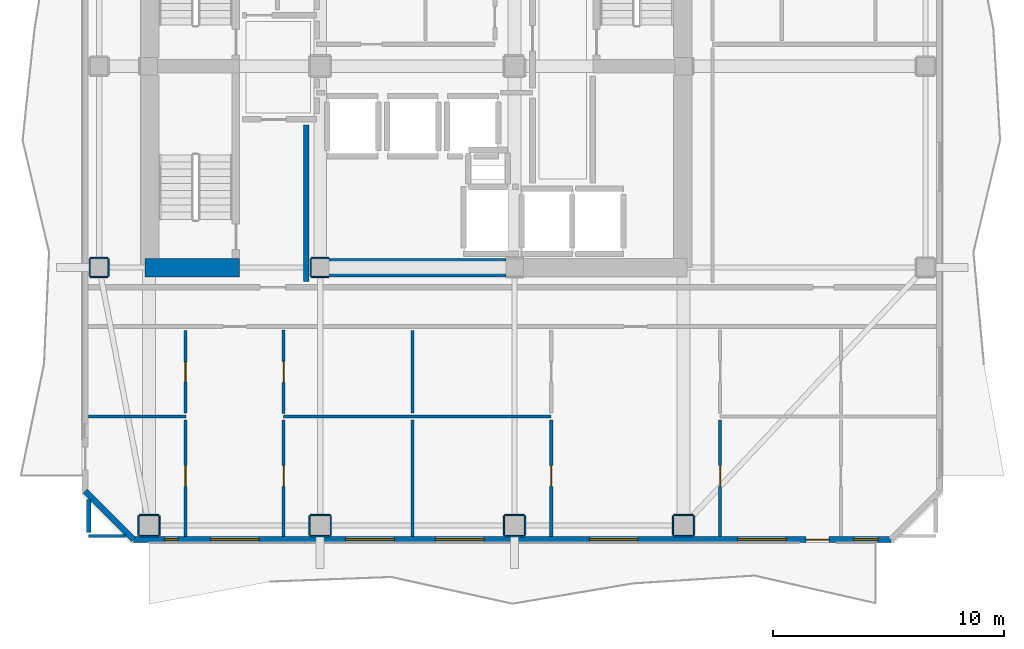
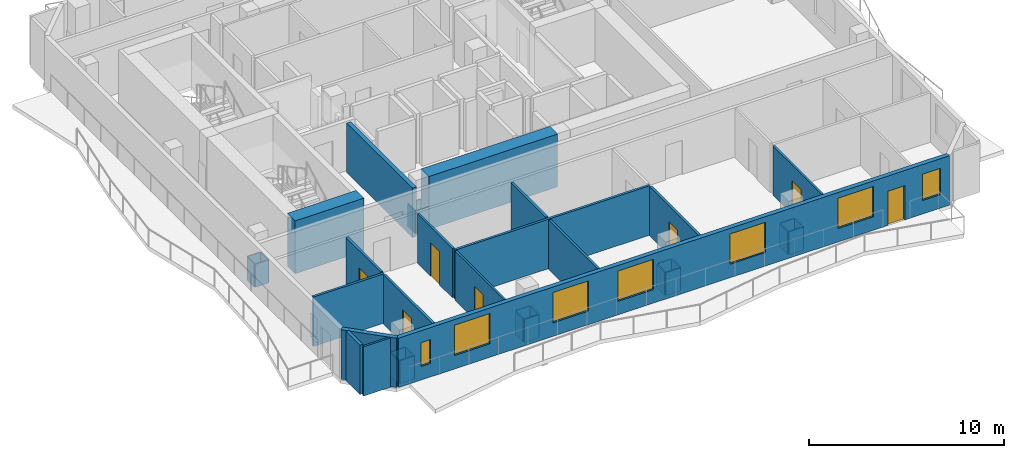
# One storey, part 2 of 9: 40 walls, 7 doors, 7 windows, 14 openings.
"""IFC4 building model written with IfcOpenShell, lengths in metres."""

from ifc_helpers import new_model, si_unit, direction, frame, frame_2d, origin, place, context, subcontext, project, spatial, rectangle, extrude, material, layer, layer_set, type_object, element, fill, save


model = new_model("IFC4")

# Units and contexts
model_context = context("Model", 3, precision=1e-05, world=origin(), true_north=direction((0.0, 1.0)))
body_context = subcontext(model_context, "Body", "Model", "MODEL_VIEW")
ifc_project = project(units=[si_unit("LENGTHUNIT", "METRE"), si_unit("AREAUNIT", "SQUARE_METRE"), si_unit("VOLUMEUNIT", "CUBIC_METRE"), si_unit("PLANEANGLEUNIT", "RADIAN"), si_unit("MASSUNIT", "GRAM", prefix="KILO")], contexts=[model_context])

# Site, building, storey
site_placement = place(None, origin())
site = spatial("IfcSite", under=ifc_project, at=site_placement, CompositionType="ELEMENT")
building_placement = place(site_placement, origin())
building = spatial("IfcBuilding", under=site, at=building_placement, Name="Solanera Arch Residences", CompositionType="ELEMENT")
storey_placement = place(building_placement, frame((0.0, 0.0, 213.39990234375)))
storey = spatial("IfcBuildingStorey", under=building, at=storey_placement, Name="L62", CompositionType="ELEMENT", Elevation=213.39990234375)

# Walls
ifc_material_1 = material(Name="Fire-Rated Gypsum Stud Partition", Category="gypsum")
ifc_layer_1 = layer(ifc_material_1, 0.06005859375)
ifc_layer_set_1 = layer_set([ifc_layer_1], Name="Fire-Rated Gypsum Stud Partition")
wall_type_1 = type_object("IfcWallType", Name="Column Acoustic Furring Wall 60", PredefinedType="PARTITIONING", material=ifc_layer_set_1)
for number, where, z_axis, x_axis, name in (
    (1, (20.425048828125, 21.593017578125, 0.0), (0.0, 0.0, 1.0), (1.0, 0.0, 0.0), "L62 Column Furring 1S"),
    (2, (20.425048828125, 22.406982421875, 0.0), (0.0, 0.0, 1.0), (1.0, 0.0, 0.0), "L62 Column Furring 1N"),
):
    element("IfcWall", number, at=place(storey_placement, frame(where, z_axis=z_axis, x_axis=x_axis)), inside=storey, type_object=wall_type_1, Name=name, PredefinedType="PARTITIONING", context=body_context, shape_type="SweptSolid", body=[
        extrude(rectangle(XDim=0.741943359375, YDim=0.06005859375, at=frame_2d((0.37109375, 0.0))), origin(), (0.0, 0.0, 1.0), 1.4501953125),
    ])
wall_1_placement = place(storey_placement, frame((20.39306640625, 21.625, 0.0), z_axis=(0.0, 0.0, 1.0), x_axis=(0.0, 1.0, 0.0)))
element("IfcWall", 3, at=wall_1_placement, inside=storey, type_object=wall_type_1, Name="L62 Column Furring 1W", PredefinedType="PARTITIONING", context=body_context, shape_type="SweptSolid", body=[
    extrude(rectangle(XDim=0.75, YDim=0.06005859375, at=frame_2d((0.375, 0.0))), origin(), (0.0, 0.0, 1.0), 1.4501953125),
])
for number, where, z_axis, x_axis, name in (
    (4, (12.97509765625, 10.39306640625, 0.0), (0.0, 0.0, 1.0), (1.0, 0.0, 0.0), "L62 Column Furring 9S"),
    (5, (12.97509765625, 11.306884765625, 0.0), (0.0, 0.0, 1.0), (1.0, 0.0, 0.0), "L62 Column Furring 9N"),
    (6, (12.943115234375, 10.425048828125, 0.0), (0.0, 0.0, 1.0), (0.0, 1.0, 0.0), "L62 Column Furring 9W"),
    (7, (13.85693359375, 10.425048828125, 0.0), (0.0, 0.0, 1.0), (0.0, 1.0, 0.0), "L62 Column Furring 9E"),
):
    element("IfcWall", number, at=place(storey_placement, frame(where, z_axis=z_axis, x_axis=x_axis)), inside=storey, type_object=wall_type_1, Name=name, PredefinedType="PARTITIONING", context=body_context, shape_type="SweptSolid", body=[
        extrude(rectangle(XDim=0.849853515625, YDim=0.06005859375, at=frame_2d((0.4248046875, 0.0))), origin(), (0.0, 0.0, 1.0), 1.4501953125),
    ])
for number, where, z_axis, x_axis, name in (
    (8, (20.375, 10.39306640625, 0.0), (0.0, 0.0, 1.0), (1.0, 0.0, 0.0), "L62 Column Furring 11S"),
    (9, (20.375, 11.306884765625, 0.0), (0.0, 0.0, 1.0), (1.0, 0.0, 0.0), "L62 Column Furring 11N"),
):
    element("IfcWall", number, at=place(storey_placement, frame(where, z_axis=z_axis, x_axis=x_axis)), inside=storey, type_object=wall_type_1, Name=name, PredefinedType="PARTITIONING", context=body_context, shape_type="SweptSolid", body=[
        extrude(rectangle(XDim=0.85009765625, YDim=0.06005859375, at=frame_2d((0.425048828125, 0.0))), origin(), (0.0, 0.0, 1.0), 1.4501953125),
    ])
for number, where, z_axis, x_axis, name in (
    (10, (20.343017578125, 10.425048828125, 0.0), (0.0, 0.0, 1.0), (0.0, 1.0, 0.0), "L62 Column Furring 11W"),
    (11, (21.257080078125, 10.425048828125, 0.0), (0.0, 0.0, 1.0), (0.0, 1.0, 0.0), "L62 Column Furring 11E"),
):
    element("IfcWall", number, at=place(storey_placement, frame(where, z_axis=z_axis, x_axis=x_axis)), inside=storey, type_object=wall_type_1, Name=name, PredefinedType="PARTITIONING", context=body_context, shape_type="SweptSolid", body=[
        extrude(rectangle(XDim=0.849853515625, YDim=0.06005859375, at=frame_2d((0.4248046875, 0.0))), origin(), (0.0, 0.0, 1.0), 1.4501953125),
    ])
for number, where, z_axis, x_axis, name in (
    (12, (28.77490234375, 10.39306640625, 0.0), (0.0, 0.0, 1.0), (1.0, 0.0, 0.0), "L62 Column Furring 13S"),
    (13, (28.77490234375, 11.306884765625, 0.0), (0.0, 0.0, 1.0), (1.0, 0.0, 0.0), "L62 Column Furring 13N"),
):
    element("IfcWall", number, at=place(storey_placement, frame(where, z_axis=z_axis, x_axis=x_axis)), inside=storey, type_object=wall_type_1, Name=name, PredefinedType="PARTITIONING", context=body_context, shape_type="SweptSolid", body=[
        extrude(rectangle(XDim=0.85009765625, YDim=0.06005859375, at=frame_2d((0.425048828125, 0.0))), origin(), (0.0, 0.0, 1.0), 1.4501953125),
    ])
for number, where, z_axis, x_axis, name in (
    (14, (28.742919921875, 10.425048828125, 0.0), (0.0, 0.0, 1.0), (0.0, 1.0, 0.0), "L62 Column Furring 13W"),
    (15, (29.656982421875, 10.425048828125, 0.0), (0.0, 0.0, 1.0), (0.0, 1.0, 0.0), "L62 Column Furring 13E"),
):
    element("IfcWall", number, at=place(storey_placement, frame(where, z_axis=z_axis, x_axis=x_axis)), inside=storey, type_object=wall_type_1, Name=name, PredefinedType="PARTITIONING", context=body_context, shape_type="SweptSolid", body=[
        extrude(rectangle(XDim=0.849853515625, YDim=0.06005859375, at=frame_2d((0.4248046875, 0.0))), origin(), (0.0, 0.0, 1.0), 1.4501953125),
    ])
for number, where, z_axis, x_axis, name in (
    (16, (36.074951171875, 10.39306640625, 0.0), (0.0, 0.0, 1.0), (1.0, 0.0, 0.0), "L62 Column Furring 15S"),
    (17, (36.074951171875, 11.306884765625, 0.0), (0.0, 0.0, 1.0), (1.0, 0.0, 0.0), "L62 Column Furring 15N"),
):
    element("IfcWall", number, at=place(storey_placement, frame(where, z_axis=z_axis, x_axis=x_axis)), inside=storey, type_object=wall_type_1, Name=name, PredefinedType="PARTITIONING", context=body_context, shape_type="SweptSolid", body=[
        extrude(rectangle(XDim=0.85009765625, YDim=0.06005859375, at=frame_2d((0.425048828125, 0.0))), origin(), (0.0, 0.0, 1.0), 1.4501953125),
    ])
for number, where, z_axis, x_axis, name in (
    (18, (36.04296875, 10.425048828125, 0.0), (0.0, 0.0, 1.0), (0.0, 1.0, 0.0), "L62 Column Furring 15W"),
    (19, (36.95703125, 10.425048828125, 0.0), (0.0, 0.0, 1.0), (0.0, 1.0, 0.0), "L62 Column Furring 15E"),
):
    element("IfcWall", number, at=place(storey_placement, frame(where, z_axis=z_axis, x_axis=x_axis)), inside=storey, type_object=wall_type_1, Name=name, PredefinedType="PARTITIONING", context=body_context, shape_type="SweptSolid", body=[
        extrude(rectangle(XDim=0.849853515625, YDim=0.06005859375, at=frame_2d((0.4248046875, 0.0))), origin(), (0.0, 0.0, 1.0), 1.4501953125),
    ])
for number, where, z_axis, x_axis, name in (
    (20, (10.875, 21.593017578125, 0.0), (0.0, 0.0, 1.0), (1.0, 0.0, 0.0), "L62 Column Furring 17S"),
    (21, (10.875, 22.406982421875, 0.0), (0.0, 0.0, 1.0), (1.0, 0.0, 0.0), "L62 Column Furring 17N"),
    (22, (10.843017578125, 21.625, 0.0), (0.0, 0.0, 1.0), (0.0, 1.0, 0.0), "L62 Column Furring 17W"),
    (23, (11.656982421875, 21.625, 0.0), (0.0, 0.0, 1.0), (0.0, 1.0, 0.0), "L62 Column Furring 17E"),
):
    element("IfcWall", number, at=place(storey_placement, frame(where, z_axis=z_axis, x_axis=x_axis)), inside=storey, type_object=wall_type_1, Name=name, PredefinedType="PARTITIONING", context=body_context, shape_type="SweptSolid", body=[
        extrude(rectangle(XDim=0.75, YDim=0.06005859375, at=frame_2d((0.375, 0.0))), origin(), (0.0, 0.0, 1.0), 1.4501953125),
    ])
ifc_material_2 = material(Name="Concrete C40/50 (f'c = 45 MPa)", Category="concrete")
ifc_layer_2 = layer(ifc_material_2, 0.800048828125)
ifc_layer_set_2 = layer_set([ifc_layer_2], Name="Concrete C40/50 (f'c = 45 MPa)")
wall_type_2 = type_object("IfcWallType", Name="Core Shear Wall CW-800", PredefinedType="SHEAR", material=ifc_layer_set_2)
wall_2_placement = place(storey_placement, frame((13.239990234375, 22.0, 0.0), z_axis=(0.0, 0.0, 1.0), x_axis=(1.0, 0.0, 0.0)))
element("IfcWall", 24, at=wall_2_placement, inside=storey, type_object=wall_type_2, Name="L62 South-West Core Shear Wall", PredefinedType="SHEAR", context=body_context, shape_type="SweptSolid", body=[
    extrude(rectangle(XDim=4.080078125, YDim=0.800048828125, at=frame_2d((2.0400390625, 0.0))), origin(), (0.0, 0.0, 1.0), 3.320068359375),
])
wall_3_placement = place(storey_placement, frame((21.179931640625, 22.0, 0.0), z_axis=(0.0, 0.0, 1.0), x_axis=(1.0, 0.0, 0.0)))
element("IfcWall", 25, at=wall_3_placement, inside=storey, type_object=wall_type_2, Name="L62 Central South Core Shear Wall", PredefinedType="SHEAR", context=body_context, shape_type="SweptSolid", body=[
    extrude(rectangle(XDim=7.64013671875, YDim=0.800048828125, at=frame_2d((3.820068359375, 0.0))), origin(), (0.0, 0.0, 1.0), 3.320068359375),
])
ifc_material_3 = material(Name="Autoclaved Aerated Concrete Blockwork", Category="masonry")
ifc_layer_3 = layer(ifc_material_3, 0.179931640625)
ifc_layer_set_3 = layer_set([ifc_layer_3], Name="Autoclaved Aerated Concrete Blockwork")
wall_type_3 = type_object("IfcWallType", Name="Corridor Fire Partition 180", PredefinedType="PARTITIONING", material=ifc_layer_set_3)
wall_4_placement = place(storey_placement, frame((10.800048828125, 10.55810546875, 0.0), z_axis=(0.0, 0.0, 1.0), x_axis=(0.0, 1.0, 0.0)))
element("IfcWall", 26, at=wall_4_placement, inside=storey, type_object=wall_type_3, Name="L62 Interior Partition V6", PredefinedType="PARTITIONING", context=body_context, shape_type="SweptSolid", body=[
    extrude(rectangle(XDim=1.430908203125, YDim=0.179931640625, at=frame_2d((0.71533203125, 0.0))), origin(), (0.0, 0.0, 1.0), 3.10009765625),
])

# Wall, openings, door, windows
ifc_material_4 = material(Name="Precast Concrete C35/45", Category="concrete")
ifc_layer_4 = layer(ifc_material_4, 0.260009765625)
ifc_layer_set_4 = layer_set([ifc_layer_4], Name="Precast Concrete C35/45")
wall_type_4 = type_object("IfcWallType", Name="Exterior Wall Precast Masonry-Frame 260", PredefinedType="STANDARD", material=ifc_layer_set_4)
wall_5_placement = place(storey_placement, frame((45.455078125, 10.2451171875, 0.0), z_axis=(0.0, 0.0, 1.0), x_axis=(-1.0, 0.0, 0.0)))
wall_5 = element("IfcWall", 27, at=wall_5_placement, inside=storey, type_object=wall_type_4, Name="L62 Tower Exterior Precast Masonry-Frame Wall S", PredefinedType="STANDARD", context=body_context, shape_type="SweptSolid", body=[
    extrude(rectangle(XDim=32.7099609375, YDim=0.260009765625, at=frame_2d((16.35498046875, 0.0))), origin(), (0.0, 0.0, 1.0), 3.10009765625),
])
opening_1_placement = place(wall_5_placement, frame((2.6650390625, 0.0, 0.0)))
opening_1 = element("IfcOpeningElement", 28, at=opening_1_placement, cuts=wall_5, Name="Opening DB-01", PredefinedType="OPENING", context=body_context, shape_type="SweptSolid", body=[
    extrude(rectangle(XDim=1.0, YDim=2.14990234375, at=frame_2d((0.5, 1.074951171875))), frame((0.0, 0.139892578125, 0.0), z_axis=(0.0, -1.0, 0.0), x_axis=(1.0, 0.0, 0.0)), (0.0, 0.0, 1.0), 0.28),
])
opening_2_placement = place(wall_5_placement, frame((27.297119140625, 0.0, 0.85009765625)))
opening_2 = element("IfcOpeningElement", 29, at=opening_2_placement, cuts=wall_5, Name="Opening W-04", PredefinedType="OPENING", context=body_context, shape_type="SweptSolid", body=[
    extrude(rectangle(XDim=2.10009765625, YDim=1.89990234375, at=frame_2d((1.050048828125, 0.949951171875))), frame((0.0, 0.139892578125, 0.0), z_axis=(0.0, -1.0, 0.0), x_axis=(1.0, 0.0, 0.0)), (0.0, 0.0, 1.0), 0.28),
])
opening_3_placement = place(wall_5_placement, frame((30.804931640625, 0.0, 0.85009765625)))
opening_3 = element("IfcOpeningElement", 30, at=opening_3_placement, cuts=wall_5, Name="Opening W-14", PredefinedType="OPENING", context=body_context, shape_type="SweptSolid", body=[
    extrude(rectangle(XDim=0.580078125, YDim=1.5, at=frame_2d((0.2900390625, 0.75))), frame((0.0, 0.139892578125, 0.0), z_axis=(0.0, -1.0, 0.0), x_axis=(1.0, 0.0, 0.0)), (0.0, 0.0, 1.0), 0.28),
])
opening_4_placement = place(wall_5_placement, frame((21.449951171875, 0.0, 0.85009765625)))
opening_4 = element("IfcOpeningElement", 31, at=opening_4_placement, cuts=wall_5, Name="Opening W-04", PredefinedType="OPENING", context=body_context, shape_type="SweptSolid", body=[
    extrude(rectangle(XDim=2.10009765625, YDim=1.89990234375, at=frame_2d((1.050048828125, 0.949951171875))), frame((0.0, 0.139892578125, 0.0), z_axis=(0.0, -1.0, 0.0), x_axis=(1.0, 0.0, 0.0)), (0.0, 0.0, 1.0), 0.28),
])
opening_5_placement = place(wall_5_placement, frame((10.927001953125, 0.0, 0.85009765625)))
opening_5 = element("IfcOpeningElement", 32, at=opening_5_placement, cuts=wall_5, Name="Opening W-04", PredefinedType="OPENING", context=body_context, shape_type="SweptSolid", body=[
    extrude(rectangle(XDim=2.10009765625, YDim=1.89990234375, at=frame_2d((1.050048828125, 0.949951171875))), frame((0.0, 0.139892578125, 0.0), z_axis=(0.0, -1.0, 0.0), x_axis=(1.0, 0.0, 0.0)), (0.0, 0.0, 1.0), 0.28),
])
opening_6_placement = place(wall_5_placement, frame((17.574951171875, 0.0, 0.85009765625)))
opening_6 = element("IfcOpeningElement", 33, at=opening_6_placement, cuts=wall_5, Name="Opening W-04", PredefinedType="OPENING", context=body_context, shape_type="SweptSolid", body=[
    extrude(rectangle(XDim=2.10009765625, YDim=1.89990234375, at=frame_2d((1.050048828125, 0.949951171875))), frame((0.0, 0.139892578125, 0.0), z_axis=(0.0, -1.0, 0.0), x_axis=(1.0, 0.0, 0.0)), (0.0, 0.0, 1.0), 0.28),
])
opening_7_placement = place(wall_5_placement, frame((4.52001953125, 0.0, 0.85009765625)))
opening_7 = element("IfcOpeningElement", 34, at=opening_7_placement, cuts=wall_5, Name="Opening W-04", PredefinedType="OPENING", context=body_context, shape_type="SweptSolid", body=[
    extrude(rectangle(XDim=2.10009765625, YDim=1.89990234375, at=frame_2d((1.050048828125, 0.949951171875))), frame((0.0, 0.139892578125, 0.0), z_axis=(0.0, -1.0, 0.0), x_axis=(1.0, 0.0, 0.0)), (0.0, 0.0, 1.0), 0.28),
])
opening_8_placement = place(wall_5_placement, frame((0.548095703125, 0.0, 0.85009765625)))
opening_8 = element("IfcOpeningElement", 35, at=opening_8_placement, cuts=wall_5, Name="Opening W-07", PredefinedType="OPENING", context=body_context, shape_type="SweptSolid", body=[
    extrude(rectangle(XDim=1.050048828125, YDim=1.64990234375, at=frame_2d((0.52490234375, 0.824951171875))), frame((0.0, 0.139892578125, 0.0), z_axis=(0.0, -1.0, 0.0), x_axis=(1.0, 0.0, 0.0)), (0.0, 0.0, 1.0), 0.28),
])
ifc_material_5 = material(Name="Anodised Aluminium Alloy 6063-T6", Category="aluminium")
door_type_1 = type_object("IfcDoorType", Name="Glazed Balcony Swing Door DB-01", OperationType="NOTDEFINED", PredefinedType="DOOR", material=ifc_material_5)
door_1_placement = place(opening_1_placement, origin())
door_1 = element("IfcDoor", 36, at=door_1_placement, inside=storey, type_object=door_type_1, Name="DR-L62-OUT-01", OperationType="SINGLE_SWING_RIGHT", OverallHeight=2.14990234375, OverallWidth=1.0, PredefinedType="DOOR", context=body_context, shape_type="SweptSolid", body=[
    extrude(rectangle(XDim=1.0, YDim=2.14990234375, at=frame_2d((0.5, 1.074951171875))), frame((0.0, 0.02490234375, 0.0), z_axis=(0.0, -1.0, 0.0), x_axis=(1.0, 0.0, 0.0)), (0.0, 0.0, 1.0), 0.050048828125),
])
fill(opening_1, door_1)
ifc_material_6 = material(Name="Double Glazed Low-E Laminated Glass", Category="glass")
window_type_1 = type_object("IfcWindowType", Name="Punched Window W-04", PartitioningType="DOUBLE_PANEL_VERTICAL", PredefinedType="WINDOW", material=ifc_material_6)
window_1_placement = place(opening_2_placement, origin())
window_1 = element("IfcWindow", 37, at=window_1_placement, inside=storey, type_object=window_type_1, Name="L62 6201-LIV Punched Window", OverallHeight=1.89990234375, OverallWidth=2.10009765625, PartitioningType="SINGLE_PANEL", PredefinedType="WINDOW", context=body_context, shape_type="SweptSolid", body=[
    extrude(rectangle(XDim=2.10009765625, YDim=1.89990234375, at=frame_2d((1.050048828125, 0.949951171875))), frame((0.0, 0.030029296875, 0.0), z_axis=(0.0, -1.0, 0.0), x_axis=(1.0, 0.0, 0.0)), (0.0, 0.0, 1.0), 0.06005859375),
])
fill(opening_2, window_1)
window_2_placement = place(opening_4_placement, origin())
window_2 = element("IfcWindow", 38, at=window_2_placement, inside=storey, type_object=window_type_1, Name="L62 6201-BR2 Punched Window", OverallHeight=1.89990234375, OverallWidth=2.10009765625, PartitioningType="SINGLE_PANEL", PredefinedType="WINDOW", context=body_context, shape_type="SweptSolid", body=[
    extrude(rectangle(XDim=2.10009765625, YDim=1.89990234375, at=frame_2d((1.050048828125, 0.949951171875))), frame((0.0, 0.030029296875, 0.0), z_axis=(0.0, -1.0, 0.0), x_axis=(1.0, 0.0, 0.0)), (0.0, 0.0, 1.0), 0.06005859375),
])
fill(opening_4, window_2)
window_3_placement = place(opening_5_placement, origin())
window_3 = element("IfcWindow", 39, at=window_3_placement, inside=storey, type_object=window_type_1, Name="L62 6202-LIV Punched Window", OverallHeight=1.89990234375, OverallWidth=2.10009765625, PartitioningType="SINGLE_PANEL", PredefinedType="WINDOW", context=body_context, shape_type="SweptSolid", body=[
    extrude(rectangle(XDim=2.10009765625, YDim=1.89990234375, at=frame_2d((1.050048828125, 0.949951171875))), frame((0.0, 0.030029296875, 0.0), z_axis=(0.0, -1.0, 0.0), x_axis=(1.0, 0.0, 0.0)), (0.0, 0.0, 1.0), 0.06005859375),
])
fill(opening_5, window_3)
window_4_placement = place(opening_6_placement, origin())
window_4 = element("IfcWindow", 40, at=window_4_placement, inside=storey, type_object=window_type_1, Name="L62 6202-BR1 Punched Window", OverallHeight=1.89990234375, OverallWidth=2.10009765625, PartitioningType="SINGLE_PANEL", PredefinedType="WINDOW", context=body_context, shape_type="SweptSolid", body=[
    extrude(rectangle(XDim=2.10009765625, YDim=1.89990234375, at=frame_2d((1.050048828125, 0.949951171875))), frame((0.0, 0.030029296875, 0.0), z_axis=(0.0, -1.0, 0.0), x_axis=(1.0, 0.0, 0.0)), (0.0, 0.0, 1.0), 0.06005859375),
])
fill(opening_6, window_4)
window_5_placement = place(opening_7_placement, origin())
window_5 = element("IfcWindow", 41, at=window_5_placement, inside=storey, type_object=window_type_1, Name="L62 6202-BR2 Punched Window", OverallHeight=1.89990234375, OverallWidth=2.10009765625, PartitioningType="SINGLE_PANEL", PredefinedType="WINDOW", context=body_context, shape_type="SweptSolid", body=[
    extrude(rectangle(XDim=2.10009765625, YDim=1.89990234375, at=frame_2d((1.050048828125, 0.949951171875))), frame((0.0, 0.030029296875, 0.0), z_axis=(0.0, -1.0, 0.0), x_axis=(1.0, 0.0, 0.0)), (0.0, 0.0, 1.0), 0.06005859375),
])
fill(opening_7, window_5)
ifc_material_7 = material(Name="Double Glazed Low-E Laminated Glass", Category="glass")
window_type_2 = type_object("IfcWindowType", Name="Punched Window W-07", PartitioningType="SINGLE_PANEL", PredefinedType="WINDOW", material=ifc_material_7)
window_6_placement = place(opening_8_placement, origin())
window_6 = element("IfcWindow", 42, at=window_6_placement, inside=storey, type_object=window_type_2, Name="L62 6202-BR3 Punched Window", OverallHeight=1.64990234375, OverallWidth=1.050048828125, PartitioningType="SINGLE_PANEL", PredefinedType="WINDOW", context=body_context, shape_type="SweptSolid", body=[
    extrude(rectangle(XDim=1.050048828125, YDim=1.64990234375, at=frame_2d((0.52490234375, 0.824951171875))), frame((0.0, 0.030029296875, 0.0), z_axis=(0.0, -1.0, 0.0), x_axis=(1.0, 0.0, 0.0)), (0.0, 0.0, 1.0), 0.06005859375),
])
fill(opening_8, window_6)
ifc_material_8 = material(Name="Double Glazed Low-E Laminated Glass", Category="glass")
window_type_3 = type_object("IfcWindowType", Name="Punched Window W-14", PartitioningType="SINGLE_PANEL", PredefinedType="WINDOW", material=ifc_material_8)
window_7_placement = place(opening_3_placement, origin())
window_7 = element("IfcWindow", 43, at=window_7_placement, inside=storey, type_object=window_type_3, Name="L62 6201-BR1 Punched Window", OverallHeight=1.5, OverallWidth=0.580078125, PartitioningType="SINGLE_PANEL", PredefinedType="WINDOW", context=body_context, shape_type="SweptSolid", body=[
    extrude(rectangle(XDim=0.580078125, YDim=1.5, at=frame_2d((0.2900390625, 0.75))), frame((0.0, 0.030029296875, 0.0), z_axis=(0.0, -1.0, 0.0), x_axis=(1.0, 0.0, 0.0)), (0.0, 0.0, 1.0), 0.06005859375),
])
fill(opening_3, window_7)

# Walls
wall_6_placement = place(storey_placement, frame((12.7451171875, 10.2451171875, 0.0), z_axis=(0.0, 0.0, 1.0), x_axis=(-0.707147883682, 0.707065676302, 0.0)))
element("IfcWall", 44, at=wall_6_placement, inside=storey, type_object=wall_type_4, Name="L62 Tower Exterior Precast Masonry-Frame Wall CH7", PredefinedType="STANDARD", context=body_context, shape_type="SweptSolid", body=[
    extrude(rectangle(XDim=2.9697265625, YDim=0.260009765625, at=frame_2d((1.48486328125, 0.0))), origin(), (0.0, 0.0, 1.0), 3.10009765625),
])
ifc_material_9 = material(Name="Autoclaved Aerated Concrete Blockwork", Category="masonry")
ifc_layer_5 = layer(ifc_material_9, 0.239990234375)
ifc_layer_set_5 = layer_set([ifc_layer_5], Name="Autoclaved Aerated Concrete Blockwork")
wall_type_5 = type_object("IfcWallType", Name="Shaft Wall Fire-Rated 240", PredefinedType="PARTITIONING", material=ifc_layer_set_5)
wall_7_placement = place(storey_placement, frame((20.199951171875, 21.39794921875, 0.0), z_axis=(0.0, 0.0, 1.0), x_axis=(0.0, 1.0, 0.0)))
element("IfcWall", 45, at=wall_7_placement, inside=storey, type_object=wall_type_5, Name="L62 Interior Partition V2", PredefinedType="PARTITIONING", context=body_context, shape_type="SweptSolid", body=[
    extrude(rectangle(XDim=6.754150390625, YDim=0.239990234375, at=frame_2d((3.376953125, 0.0))), origin(), (0.0, 0.0, 1.0), 3.10009765625),
])
ifc_material_10 = material(Name="Fire-Rated Gypsum Stud Partition", Category="gypsum")
ifc_layer_6 = layer(ifc_material_10, 0.1201171875)
ifc_layer_set_6 = layer_set([ifc_layer_6], Name="Fire-Rated Gypsum Stud Partition")
wall_type_6 = type_object("IfcWallType", Name="Unit Drywall Partition 120", PredefinedType="PARTITIONING", material=ifc_layer_set_6)
wall_8_placement = place(storey_placement, frame((10.800048828125, 10.39990234375, 0.0), z_axis=(0.0, 0.0, 1.0), x_axis=(1.0, 0.0, 0.0)))
element("IfcWall", 46, at=wall_8_placement, inside=storey, type_object=wall_type_6, Name="L62 Interior Partition H19 1", PredefinedType="PARTITIONING", context=body_context, shape_type="SweptSolid", body=[
    extrude(rectangle(XDim=1.5888671875, YDim=0.1201171875, at=frame_2d((0.79443359375, 0.0))), origin(), (0.0, 0.0, 1.0), 3.10009765625),
])

# Wall, opening, door
wall_9_placement = place(storey_placement, frame((19.219970703125, 10.386962890625, 0.0), z_axis=(0.0, 0.0, 1.0), x_axis=(0.0, 1.0, 0.0)))
wall_9 = element("IfcWall", 47, at=wall_9_placement, inside=storey, type_object=wall_type_6, Name="L62 Interior Partition V19 1", PredefinedType="PARTITIONING", context=body_context, shape_type="SweptSolid", body=[
    extrude(rectangle(XDim=5.033935546875, YDim=0.1201171875, at=frame_2d((2.51708984375, 0.0))), origin(), (0.0, 0.0, 1.0), 3.10009765625),
])
opening_9_placement = place(wall_9_placement, frame((2.155029296875, 0.0, 0.0)))
opening_9 = element("IfcOpeningElement", 48, at=opening_9_placement, cuts=wall_9, Name="Opening DI-03", PredefinedType="OPENING", context=body_context, shape_type="SweptSolid", body=[
    extrude(rectangle(XDim=0.89990234375, YDim=2.10009765625, at=frame_2d((0.449951171875, 1.050048828125))), frame((0.0, 0.070068359375, 0.0), z_axis=(0.0, -1.0, 0.0), x_axis=(1.0, 0.0, 0.0)), (0.0, 0.0, 1.0), 0.1401),
])
ifc_material_11 = material(Name="Fire-Rated Architectural Hardwood", Category="wood")
door_type_2 = type_object("IfcDoorType", Name="Bedroom Swing Door DI-03", OperationType="NOTDEFINED", PredefinedType="DOOR", material=ifc_material_11)
door_2_placement = place(opening_9_placement, origin())
door_2 = element("IfcDoor", 49, at=door_2_placement, inside=storey, type_object=door_type_2, Name="DR-L62-IN-018", OperationType="SINGLE_SWING_LEFT", OverallHeight=2.10009765625, OverallWidth=0.89990234375, PredefinedType="DOOR", context=body_context, shape_type="SweptSolid", body=[
    extrude(rectangle(XDim=0.89990234375, YDim=2.10009765625, at=frame_2d((0.449951171875, 1.050048828125))), frame((0.0, 0.02490234375, 0.0), z_axis=(0.0, -1.0, 0.0), x_axis=(1.0, 0.0, 0.0)), (0.0, 0.0, 1.0), 0.050048828125),
])
fill(opening_9, door_2)

wall_10_placement = place(storey_placement, frame((19.219970703125, 15.697021484375, 0.0), z_axis=(0.0, 0.0, 1.0), x_axis=(0.0, 1.0, 0.0)))
wall_10 = element("IfcWall", 50, at=wall_10_placement, inside=storey, type_object=wall_type_6, Name="L62 Interior Partition V19 2", PredefinedType="PARTITIONING", context=body_context, shape_type="SweptSolid", body=[
    extrude(rectangle(XDim=3.594970703125, YDim=0.1201171875, at=frame_2d((1.79736328125, 0.0))), origin(), (0.0, 0.0, 1.0), 3.10009765625),
])
opening_10_placement = place(wall_10_placement, frame((1.344970703125, 0.0, 0.0)))
opening_10 = element("IfcOpeningElement", 51, at=opening_10_placement, cuts=wall_10, Name="Opening DI-02", PredefinedType="OPENING", context=body_context, shape_type="SweptSolid", body=[
    extrude(rectangle(XDim=0.89990234375, YDim=2.10009765625, at=frame_2d((0.449951171875, 1.050048828125))), frame((0.0, 0.070068359375, 0.0), z_axis=(0.0, -1.0, 0.0), x_axis=(1.0, 0.0, 0.0)), (0.0, 0.0, 1.0), 0.1401),
])
ifc_material_12 = material(Name="Fire-Rated Architectural Hardwood", Category="wood")
door_type_3 = type_object("IfcDoorType", Name="Suite Room Swing Door DI-02", OperationType="NOTDEFINED", PredefinedType="DOOR", material=ifc_material_12)
door_3_placement = place(opening_10_placement, origin())
door_3 = element("IfcDoor", 52, at=door_3_placement, inside=storey, type_object=door_type_3, Name="DR-L62-IN-017", OperationType="SINGLE_SWING_RIGHT", OverallHeight=2.10009765625, OverallWidth=0.89990234375, PredefinedType="DOOR", context=body_context, shape_type="SweptSolid", body=[
    extrude(rectangle(XDim=0.89990234375, YDim=2.10009765625, at=frame_2d((0.449951171875, 1.050048828125))), frame((0.0, 0.02490234375, 0.0), z_axis=(0.0, -1.0, 0.0), x_axis=(1.0, 0.0, 0.0)), (0.0, 0.0, 1.0), 0.050048828125),
])
fill(opening_10, door_3)

wall_11_placement = place(storey_placement, frame((38.080078125, 10.386962890625, 0.0), z_axis=(0.0, 0.0, 1.0), x_axis=(0.0, 1.0, 0.0)))
wall_11 = element("IfcWall", 53, at=wall_11_placement, inside=storey, type_object=wall_type_6, Name="L62 Interior Partition V23 1", PredefinedType="PARTITIONING", context=body_context, shape_type="SweptSolid", body=[
    extrude(rectangle(XDim=5.033935546875, YDim=0.1201171875, at=frame_2d((2.51708984375, 0.0))), origin(), (0.0, 0.0, 1.0), 3.10009765625),
])
opening_11_placement = place(wall_11_placement, frame((2.155029296875, 0.0, 0.0)))
opening_11 = element("IfcOpeningElement", 54, at=opening_11_placement, cuts=wall_11, Name="Opening DI-03", PredefinedType="OPENING", context=body_context, shape_type="SweptSolid", body=[
    extrude(rectangle(XDim=0.89990234375, YDim=2.10009765625, at=frame_2d((0.449951171875, 1.050048828125))), frame((0.0, 0.070068359375, 0.0), z_axis=(0.0, -1.0, 0.0), x_axis=(1.0, 0.0, 0.0)), (0.0, 0.0, 1.0), 0.1401),
])
door_4_placement = place(opening_11_placement, origin())
door_4 = element("IfcDoor", 55, at=door_4_placement, inside=storey, type_object=door_type_2, Name="DR-L62-IN-024", OperationType="SINGLE_SWING_LEFT", OverallHeight=2.10009765625, OverallWidth=0.89990234375, PredefinedType="DOOR", context=body_context, shape_type="SweptSolid", body=[
    extrude(rectangle(XDim=0.89990234375, YDim=2.10009765625, at=frame_2d((0.449951171875, 1.050048828125))), frame((0.0, 0.02490234375, 0.0), z_axis=(0.0, -1.0, 0.0), x_axis=(1.0, 0.0, 0.0)), (0.0, 0.0, 1.0), 0.050048828125),
])
fill(opening_11, door_4)

# Walls
ifc_material_13 = material(Name="Autoclaved Aerated Concrete Blockwork", Category="masonry")
ifc_layer_7 = layer(ifc_material_13, 0.139892578125)
ifc_layer_set_7 = layer_set([ifc_layer_7], Name="Autoclaved Aerated Concrete Blockwork")
wall_type_7 = type_object("IfcWallType", Name="Wet-Room Partition 140", PredefinedType="PARTITIONING", material=ifc_layer_set_7)
wall_12_placement = place(storey_placement, frame((10.787109375, 15.55908203125, 0.0), z_axis=(0.0, 0.0, 1.0), x_axis=(1.0, 0.0, 0.0)))
element("IfcWall", 56, at=wall_12_placement, inside=storey, type_object=wall_type_7, Name="L62 Interior Partition H14", PredefinedType="PARTITIONING", context=body_context, shape_type="SweptSolid", body=[
    extrude(rectangle(XDim=4.2080078125, YDim=0.139892578125, at=frame_2d((2.10400390625, 0.0))), origin(), (0.0, 0.0, 1.0), 3.10009765625),
])
wall_13_placement = place(storey_placement, frame((19.219970703125, 15.55908203125, 0.0), z_axis=(0.0, 0.0, 1.0), x_axis=(1.0, 0.0, 0.0)))
element("IfcWall", 57, at=wall_13_placement, inside=storey, type_object=wall_type_7, Name="L62 Interior Partition H15", PredefinedType="PARTITIONING", context=body_context, shape_type="SweptSolid", body=[
    extrude(rectangle(XDim=11.56005859375, YDim=0.139892578125, at=frame_2d((5.780029296875, 0.0))), origin(), (0.0, 0.0, 1.0), 3.10009765625),
])

# Wall, opening, door
wall_14_placement = place(storey_placement, frame((14.97998046875, 10.386962890625, 0.0), z_axis=(0.0, 0.0, 1.0), x_axis=(0.0, 1.0, 0.0)))
wall_14 = element("IfcWall", 58, at=wall_14_placement, inside=storey, type_object=wall_type_7, Name="L62 Interior Partition V11 1", PredefinedType="PARTITIONING", context=body_context, shape_type="SweptSolid", body=[
    extrude(rectangle(XDim=5.02392578125, YDim=0.139892578125, at=frame_2d((2.511962890625, 0.0))), origin(), (0.0, 0.0, 1.0), 3.10009765625),
])
opening_12_placement = place(wall_14_placement, frame((2.155029296875, 0.0, 0.0)))
opening_12 = element("IfcOpeningElement", 59, at=opening_12_placement, cuts=wall_14, Name="Opening DI-03", PredefinedType="OPENING", context=body_context, shape_type="SweptSolid", body=[
    extrude(rectangle(XDim=0.89990234375, YDim=2.10009765625, at=frame_2d((0.449951171875, 1.050048828125))), frame((0.0, 0.079833984375, 0.0), z_axis=(0.0, -1.0, 0.0), x_axis=(1.0, 0.0, 0.0)), (0.0, 0.0, 1.0), 0.1599),
])
door_5_placement = place(opening_12_placement, origin())
door_5 = element("IfcDoor", 60, at=door_5_placement, inside=storey, type_object=door_type_2, Name="DR-L62-IN-016", OperationType="SINGLE_SWING_LEFT", OverallHeight=2.10009765625, OverallWidth=0.89990234375, PredefinedType="DOOR", context=body_context, shape_type="SweptSolid", body=[
    extrude(rectangle(XDim=0.89990234375, YDim=2.10009765625, at=frame_2d((0.449951171875, 1.050048828125))), frame((0.0, 0.02490234375, 0.0), z_axis=(0.0, -1.0, 0.0), x_axis=(1.0, 0.0, 0.0)), (0.0, 0.0, 1.0), 0.050048828125),
])
fill(opening_12, door_5)

wall_15_placement = place(storey_placement, frame((14.97998046875, 15.70703125, 0.0), z_axis=(0.0, 0.0, 1.0), x_axis=(0.0, 1.0, 0.0)))
wall_15 = element("IfcWall", 61, at=wall_15_placement, inside=storey, type_object=wall_type_7, Name="L62 Interior Partition V11 2", PredefinedType="PARTITIONING", context=body_context, shape_type="SweptSolid", body=[
    extrude(rectangle(XDim=3.574951171875, YDim=0.139892578125, at=frame_2d((1.78759765625, 0.0))), origin(), (0.0, 0.0, 1.0), 3.10009765625),
])
opening_13_placement = place(wall_15_placement, frame((1.35498046875, 0.0, 0.0)))
opening_13 = element("IfcOpeningElement", 62, at=opening_13_placement, cuts=wall_15, Name="Opening DI-05", PredefinedType="OPENING", context=body_context, shape_type="SweptSolid", body=[
    extrude(rectangle(XDim=0.860107421875, YDim=2.02001953125, at=frame_2d((0.43017578125, 1.010009765625))), frame((0.0, 0.079833984375, 0.0), z_axis=(0.0, -1.0, 0.0), x_axis=(1.0, 0.0, 0.0)), (0.0, 0.0, 1.0), 0.1599),
])
ifc_material_14 = material(Name="Fire-Rated Architectural Hardwood", Category="wood")
door_type_4 = type_object("IfcDoorType", Name="Bathroom Swing Door DI-05", OperationType="NOTDEFINED", PredefinedType="DOOR", material=ifc_material_14)
door_6_placement = place(opening_13_placement, origin())
door_6 = element("IfcDoor", 63, at=door_6_placement, inside=storey, type_object=door_type_4, Name="DR-L62-IN-015", OperationType="SINGLE_SWING_RIGHT", OverallHeight=2.02001953125, OverallWidth=0.860107421875, PredefinedType="DOOR", context=body_context, shape_type="SweptSolid", body=[
    extrude(rectangle(XDim=0.860107421875, YDim=2.02001953125, at=frame_2d((0.43017578125, 1.010009765625))), frame((0.0, 0.02490234375, 0.0), z_axis=(0.0, -1.0, 0.0), x_axis=(1.0, 0.0, 0.0)), (0.0, 0.0, 1.0), 0.050048828125),
])
fill(opening_13, door_6)

# Walls
wall_16_placement = place(storey_placement, frame((24.783935546875, 10.386962890625, 0.0), z_axis=(0.0, 0.0, 1.0), x_axis=(0.0, 1.0, 0.0)))
element("IfcWall", 64, at=wall_16_placement, inside=storey, type_object=wall_type_7, Name="L62 Interior Partition V13 1", PredefinedType="PARTITIONING", context=body_context, shape_type="SweptSolid", body=[
    extrude(rectangle(XDim=5.02392578125, YDim=0.139892578125, at=frame_2d((2.511962890625, 0.0))), origin(), (0.0, 0.0, 1.0), 3.10009765625),
])
wall_17_placement = place(storey_placement, frame((24.783935546875, 15.70703125, 0.0), z_axis=(0.0, 0.0, 1.0), x_axis=(0.0, 1.0, 0.0)))
element("IfcWall", 65, at=wall_17_placement, inside=storey, type_object=wall_type_7, Name="L62 Interior Partition V13 2", PredefinedType="PARTITIONING", context=body_context, shape_type="SweptSolid", body=[
    extrude(rectangle(XDim=3.574951171875, YDim=0.139892578125, at=frame_2d((1.78759765625, 0.0))), origin(), (0.0, 0.0, 1.0), 3.10009765625),
])

# Wall, opening, door
wall_18_placement = place(storey_placement, frame((30.780029296875, 10.386962890625, 0.0), z_axis=(0.0, 0.0, 1.0), x_axis=(0.0, 1.0, 0.0)))
wall_18 = element("IfcWall", 66, at=wall_18_placement, inside=storey, type_object=wall_type_7, Name="L62 Interior Partition V15 1", PredefinedType="PARTITIONING", context=body_context, shape_type="SweptSolid", body=[
    extrude(rectangle(XDim=5.02392578125, YDim=0.139892578125, at=frame_2d((2.511962890625, 0.0))), origin(), (0.0, 0.0, 1.0), 3.10009765625),
])
opening_14_placement = place(wall_18_placement, frame((2.155029296875, 0.0, 0.0)))
opening_14 = element("IfcOpeningElement", 67, at=opening_14_placement, cuts=wall_18, Name="Opening DI-03", PredefinedType="OPENING", context=body_context, shape_type="SweptSolid", body=[
    extrude(rectangle(XDim=0.89990234375, YDim=2.10009765625, at=frame_2d((0.449951171875, 1.050048828125))), frame((0.0, 0.079833984375, 0.0), z_axis=(0.0, -1.0, 0.0), x_axis=(1.0, 0.0, 0.0)), (0.0, 0.0, 1.0), 0.1599),
])
door_7_placement = place(opening_14_placement, origin())
door_7 = element("IfcDoor", 68, at=door_7_placement, inside=storey, type_object=door_type_2, Name="DR-L62-IN-021", OperationType="SINGLE_SWING_RIGHT", OverallHeight=2.10009765625, OverallWidth=0.89990234375, PredefinedType="DOOR", context=body_context, shape_type="SweptSolid", body=[
    extrude(rectangle(XDim=0.89990234375, YDim=2.10009765625, at=frame_2d((0.449951171875, 1.050048828125))), frame((0.0, 0.02490234375, 0.0), z_axis=(0.0, -1.0, 0.0), x_axis=(1.0, 0.0, 0.0)), (0.0, 0.0, 1.0), 0.050048828125),
])
fill(opening_14, door_7)

save(model, "model.ifc")
